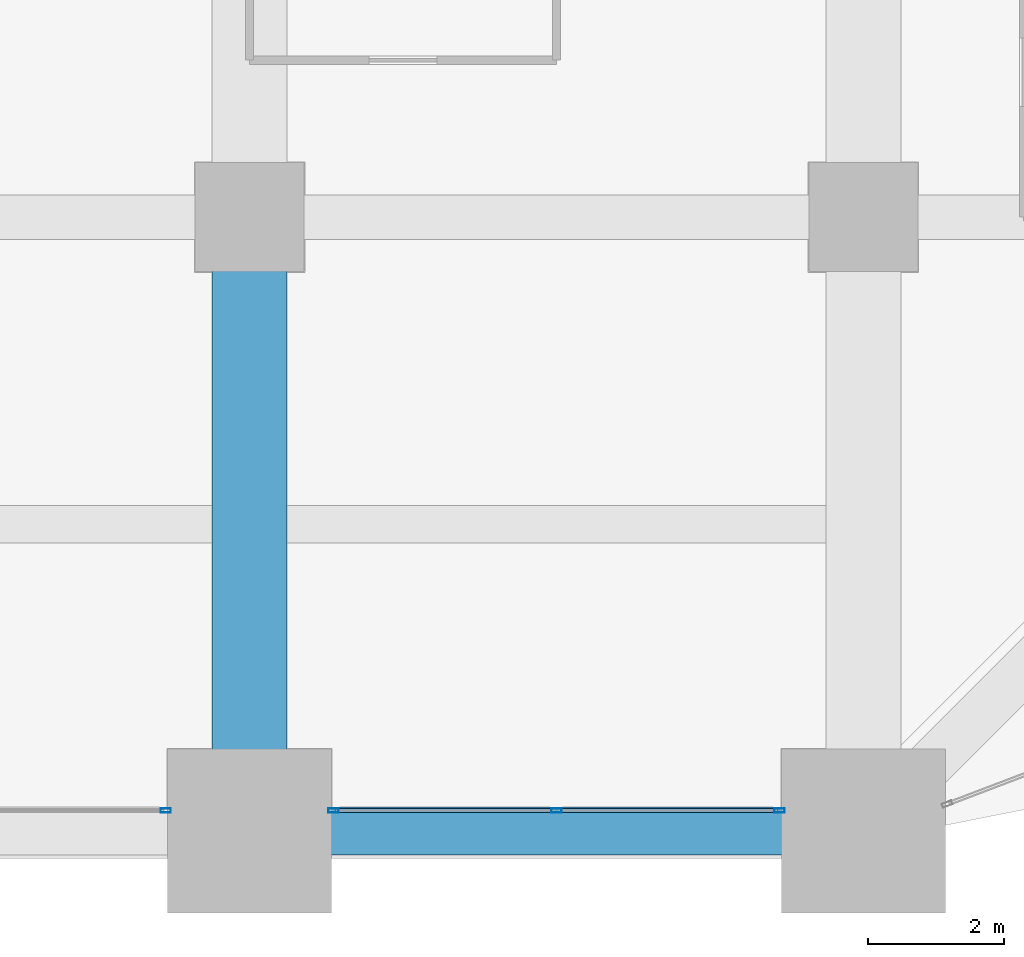
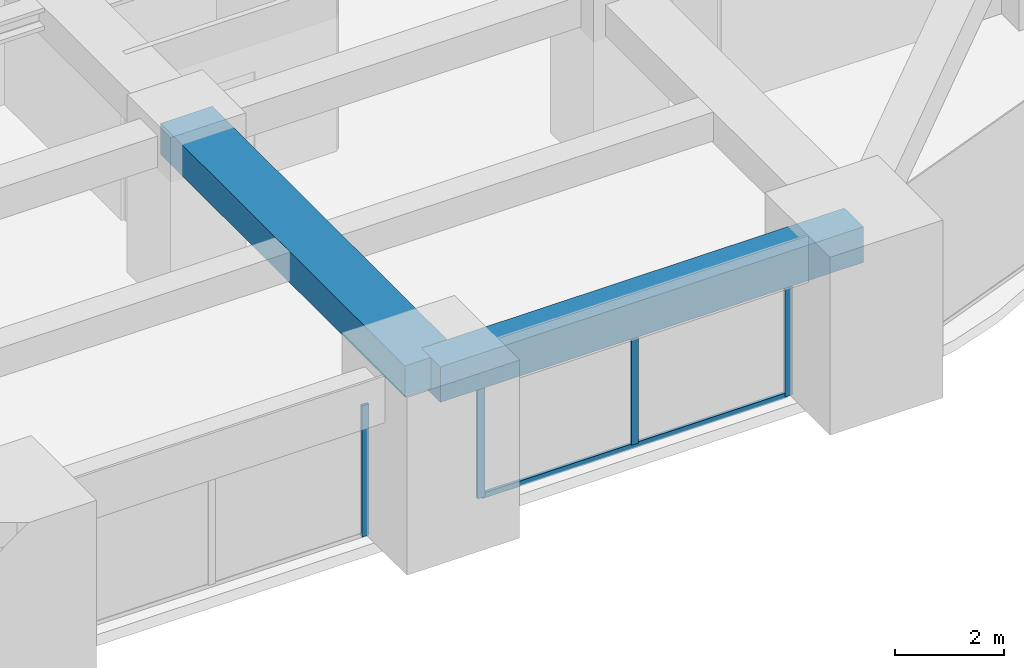
# One storey, part 13 of 32: 5 members, 2 beams, 2 elements without a shape of their own.
"""IFC4 building model written with IfcOpenShell, lengths in metres."""

from ifc_helpers import new_model, si_unit, direction, frame, origin, origin_2d, place, context, subcontext, project, spatial, rectangle, hollow_rectangle, extrude, material, material_profile, profile_set, type_object, element, aggregate, save


model = new_model("IFC4")

# Units and contexts
model_context = context("Model", 3, precision=1e-05, world=origin(), true_north=direction((0.0, 1.0)))
body_context = subcontext(model_context, "Body", "Model", "MODEL_VIEW")
ifc_project = project(units=[si_unit("LENGTHUNIT", "METRE"), si_unit("AREAUNIT", "SQUARE_METRE"), si_unit("VOLUMEUNIT", "CUBIC_METRE"), si_unit("PLANEANGLEUNIT", "RADIAN"), si_unit("MASSUNIT", "GRAM", prefix="KILO")], contexts=[model_context])

# Site, building, storey
site_placement = place(None, origin())
site = spatial("IfcSite", under=ifc_project, at=site_placement, CompositionType="ELEMENT")
building_placement = place(site_placement, origin())
building = spatial("IfcBuilding", under=site, at=building_placement, Name="Zorevar Civic Tower", CompositionType="ELEMENT")
storey_placement = place(building_placement, frame((0.0, 0.0, 186.199951171875)))
storey = spatial("IfcBuildingStorey", under=building, at=storey_placement, Name="L45", CompositionType="ELEMENT", Elevation=186.199951171875)

# Beam
ifc_material_1 = material(Name="Concrete C50/60", Category="concrete")
ifc_material_profile_1 = material_profile(ifc_material_1, rectangle(XDim=1.10009765625, YDim=0.699951171875, at=origin_2d()), Name="RC 1100x700")
ifc_profile_set_1 = profile_set([ifc_material_profile_1], Name="Concrete C50/60")
beam_type_1 = type_object("IfcBeamType", Name="Beam RC 1100x700", PredefinedType="BEAM", material=ifc_profile_set_1)
beam_1_placement = place(storey_placement, frame((36.0, 0.0, 3.400146484375), z_axis=(0.0, 1.0, 0.0), x_axis=(-1.0, 0.0, 0.0)))
element("IfcBeam", 1, at=beam_1_placement, inside=storey, type_object=beam_type_1, Name="Girder L46", PredefinedType="BEAM", context=body_context, shape_type="SweptSolid", body=[
    extrude(rectangle(XDim=1.10009765625, YDim=0.699951171875, at=origin_2d()), origin(), (0.0, 0.0, 1.0), 9.0),
])

# Curtain wall, member
ifc_material_2 = material(Name="Dark grey solar-control glass in black aluminium frame", Category="aluminium")
curtain_wall_type = type_object("IfcCurtainWallType", Name="Curtain wall CW4 high zone", PredefinedType="NOTDEFINED", material=ifc_material_2)
curtain_wall_1_placement = place(storey_placement, origin())
curtain_wall_1 = element("IfcCurtainWall", 2, at=curtain_wall_1_placement, inside=storey, type_object=curtain_wall_type, Name="CW4 L45", PredefinedType="NOTDEFINED")
ifc_material_3 = material(Name="Aluminium, black anodised", Category="aluminium")
ifc_material_profile_2 = material_profile(ifc_material_3, hollow_rectangle(XDim=0.06005859375, YDim=0.14990234375, WallThickness=0.00390625, at=origin_2d()), Name="AL 150x60x4")
ifc_profile_set_2 = profile_set([ifc_material_profile_2], Name="Aluminium, black anodised")
member_type_1 = type_object("IfcMemberType", Name="CW4 mullion AL 150x60x4", PredefinedType="MULLION", material=ifc_profile_set_2)
member_1_placement = place(storey_placement, frame((34.77001953125, 0.300048828125, 0.0), z_axis=(0.0, 0.0, 1.0), x_axis=(0.0, 1.0, 0.0)))
member_1 = element("IfcMember", 3, at=member_1_placement, type_object=member_type_1, Name="CW4 mullion 3", PredefinedType="MULLION", context=body_context, shape_type="SweptSolid", body=[
    extrude(hollow_rectangle(XDim=0.06005859375, YDim=0.14990234375, WallThickness=0.00390625, at=origin_2d()), origin(), (0.0, 0.0, 1.0), 2.949951171875),
])
aggregate(curtain_wall_1, [member_1])

# Curtain wall, members
curtain_wall_2_placement = place(storey_placement, origin())
curtain_wall_2 = element("IfcCurtainWall", 4, at=curtain_wall_2_placement, inside=storey, type_object=curtain_wall_type, Name="CW4 L45", PredefinedType="NOTDEFINED")
member_2_placement = place(storey_placement, frame((37.22998046875, 0.300048828125, 0.0), z_axis=(0.0, 0.0, 1.0), x_axis=(0.0, 1.0, 0.0)))
member_2 = element("IfcMember", 5, at=member_2_placement, type_object=member_type_1, Name="CW4 mullion 1", PredefinedType="MULLION", context=body_context, shape_type="SweptSolid", body=[
    extrude(hollow_rectangle(XDim=0.06005859375, YDim=0.14990234375, WallThickness=0.00390625, at=origin_2d()), origin(), (0.0, 0.0, 1.0), 2.949951171875),
])
member_3_placement = place(storey_placement, frame((40.5, 0.300048828125, 0.06005859375), z_axis=(0.0, 0.0, 1.0), x_axis=(0.0, 1.0, 0.0)))
member_3 = element("IfcMember", 6, at=member_3_placement, type_object=member_type_1, Name="CW4 mullion 2", PredefinedType="MULLION", context=body_context, shape_type="SweptSolid", body=[
    extrude(hollow_rectangle(XDim=0.06005859375, YDim=0.14990234375, WallThickness=0.00390625, at=origin_2d()), origin(), (0.0, 0.0, 1.0), 2.889892578125),
])
member_4_placement = place(storey_placement, frame((43.77001953125, 0.300048828125, 0.0), z_axis=(0.0, 0.0, 1.0), x_axis=(0.0, 1.0, 0.0)))
member_4 = element("IfcMember", 7, at=member_4_placement, type_object=member_type_1, Name="CW4 mullion 3", PredefinedType="MULLION", context=body_context, shape_type="SweptSolid", body=[
    extrude(hollow_rectangle(XDim=0.06005859375, YDim=0.14990234375, WallThickness=0.00390625, at=origin_2d()), origin(), (0.0, 0.0, 1.0), 2.949951171875),
])
ifc_material_4 = material(Name="Aluminium, black anodised", Category="aluminium")
ifc_material_profile_3 = material_profile(ifc_material_4, hollow_rectangle(XDim=0.06005859375, YDim=0.1201171875, WallThickness=0.0029296875, at=origin_2d()), Name="AL 120x60x3")
ifc_profile_set_3 = profile_set([ifc_material_profile_3], Name="Aluminium, black anodised")
member_type_2 = type_object("IfcMemberType", Name="CW4 transom AL 120x60x3", PredefinedType="USERDEFINED", material=ifc_profile_set_3)
member_5_placement = place(storey_placement, frame((37.260009765625, 0.300048828125, 0.030029296875), z_axis=(1.0, 0.0, 0.0), x_axis=(0.0, 1.0, 0.0)))
member_5 = element("IfcMember", 8, at=member_5_placement, type_object=member_type_2, Name="CW4 sill transom", ObjectType="TRANSOM", PredefinedType="USERDEFINED", context=body_context, shape_type="SweptSolid", body=[
    extrude(hollow_rectangle(XDim=0.06005859375, YDim=0.1201171875, WallThickness=0.0029296875, at=origin_2d()), origin(), (0.0, 0.0, 1.0), 6.47998046875),
])
aggregate(curtain_wall_2, [member_2, member_3, member_4, member_5])

# Beam
ifc_material_5 = material(Name="Concrete C50/60", Category="concrete")
ifc_material_profile_4 = material_profile(ifc_material_5, rectangle(XDim=0.699951171875, YDim=0.800048828125, at=origin_2d()), Name="RC 700x800")
ifc_profile_set_4 = profile_set([ifc_material_profile_4], Name="Concrete C50/60")
beam_type_2 = type_object("IfcBeamType", Name="Edge beam RC 700x800", PredefinedType="SPANDREL", material=ifc_profile_set_4)
beam_2_placement = place(storey_placement, frame((36.0, 0.0, 3.35009765625), z_axis=(1.0, 0.0, 0.0), x_axis=(0.0, 1.0, 0.0)))
element("IfcBeam", 9, at=beam_2_placement, inside=storey, type_object=beam_type_2, Name="Edge beam L46", PredefinedType="SPANDREL", context=body_context, shape_type="SweptSolid", body=[
    extrude(rectangle(XDim=0.699951171875, YDim=0.800048828125, at=origin_2d()), origin(), (0.0, 0.0, 1.0), 9.0),
])

save(model, "model.ifc")
